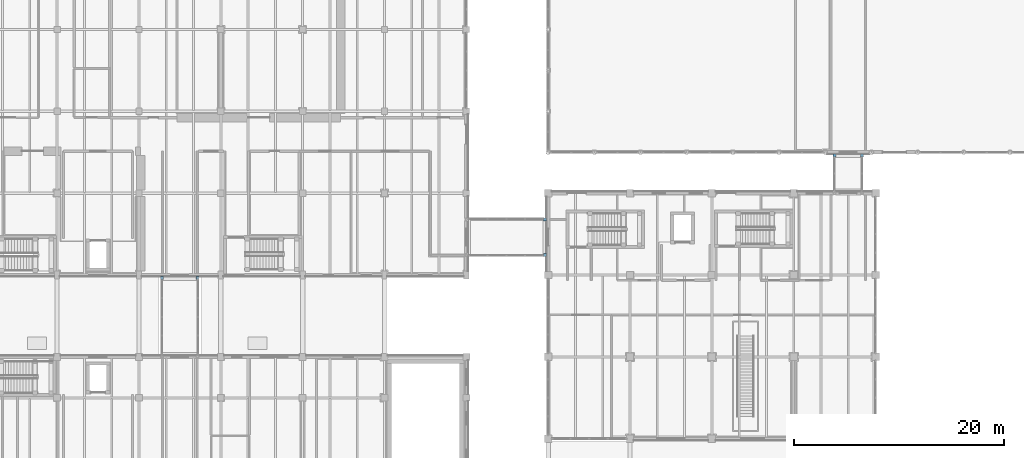
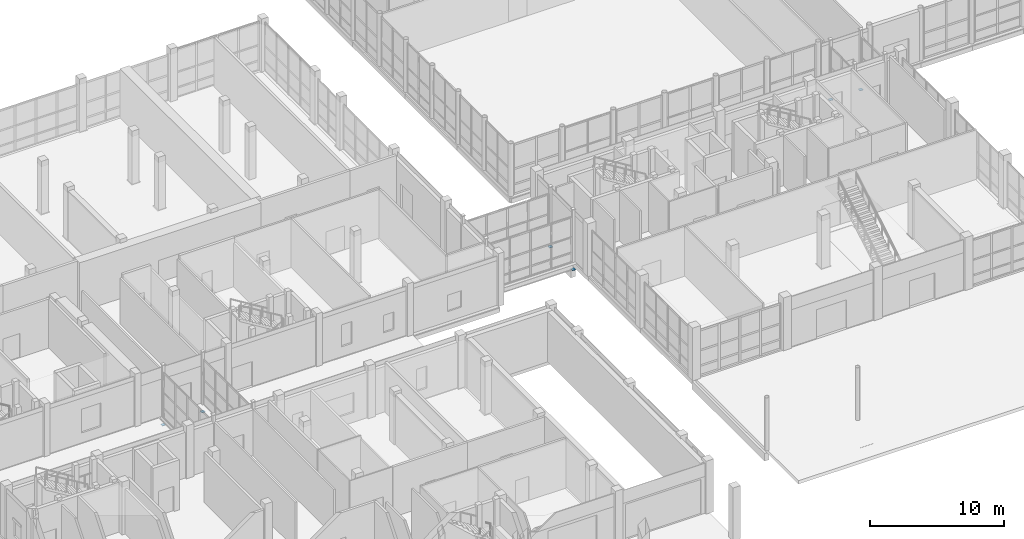
# One storey, part 108 of 131: 6 discrete accessories.
"""IFC4 building model written with IfcOpenShell, lengths in metres."""

from ifc_helpers import new_model, si_unit, direction, frame, origin, origin_2d, place, context, subcontext, project, spatial, rectangle, extrude, material, type_object, element, save


model = new_model("IFC4")

# Units and contexts
model_context = context("Model", 3, precision=1e-05, world=origin(), true_north=direction((0.0, 1.0)))
body_context = subcontext(model_context, "Body", "Model", "MODEL_VIEW")
ifc_project = project(units=[si_unit("LENGTHUNIT", "METRE"), si_unit("AREAUNIT", "SQUARE_METRE"), si_unit("VOLUMEUNIT", "CUBIC_METRE"), si_unit("PLANEANGLEUNIT", "RADIAN"), si_unit("MASSUNIT", "GRAM", prefix="KILO")], contexts=[model_context])

# Site, building, storey
site_placement = place(None, origin())
site = spatial("IfcSite", under=ifc_project, at=site_placement, CompositionType="ELEMENT")
building_placement = place(site_placement, origin())
building = spatial("IfcBuilding", under=site, at=building_placement, Name="Celorna Specialist Clinic", CompositionType="ELEMENT")
storey_placement = place(building_placement, origin())
storey = spatial("IfcBuildingStorey", under=building, at=storey_placement, Name="L00", CompositionType="ELEMENT", Elevation=0.0)

# Discrete accessories
ifc_material = material(Name="Biaxially unguided PTFE elastomeric sliding bearing")
discrete_accessory_type = type_object("IfcDiscreteAccessoryType", Name="SBG-01", PredefinedType="USERDEFINED", material=ifc_material)
for number, where, z_axis, x_axis, name in (
    (1, (17.800048828125, 34.800048828125, -0.71484375), (0.0, 0.0, 1.0), (1.0, 0.0, 0.0), "Unguided PTFE bridge sliding bearing BR-01 L00"),
    (2, (21.199951171875, 34.800048828125, -0.71484375), (0.0, 0.0, 1.0), (1.0, 0.0, 0.0), "Unguided PTFE bridge sliding bearing BR-01 L00"),
    (3, (54.300048828125, 37.0, -0.71484375), (0.0, 0.0, 1.0), (1.0, 0.0, 0.0), "Unguided PTFE bridge sliding bearing BR-02 L00"),
    (4, (54.300048828125, 40.39990234375, -0.71484375), (0.0, 0.0, 1.0), (1.0, 0.0, 0.0), "Unguided PTFE bridge sliding bearing BR-02 L00"),
    (5, (81.89990234375, 46.5, -0.71484375), (0.0, 0.0, 1.0), (1.0, 0.0, 0.0), "Unguided PTFE bridge sliding bearing BR-03 L00"),
    (6, (84.5, 46.5, -0.71484375), (0.0, 0.0, 1.0), (1.0, 0.0, 0.0), "Unguided PTFE bridge sliding bearing BR-03 L00"),
):
    element("IfcDiscreteAccessory", number, at=place(storey_placement, frame(where, z_axis=z_axis, x_axis=x_axis)), inside=storey, type_object=discrete_accessory_type, Name=name, ObjectType="SLIDING BEARING", PredefinedType="USERDEFINED", context=body_context, shape_type="SweptSolid", body=[
        extrude(rectangle(XDim=0.280029296875, YDim=0.280029296875, at=origin_2d()), origin(), (0.0, 0.0, 1.0), 0.044921875),
    ])

save(model, "model.ifc")
